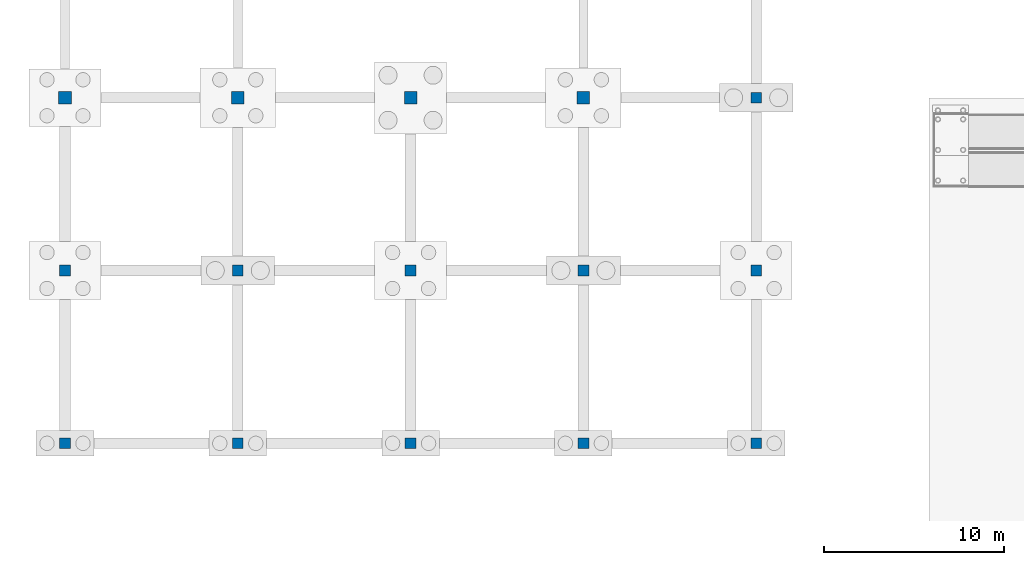
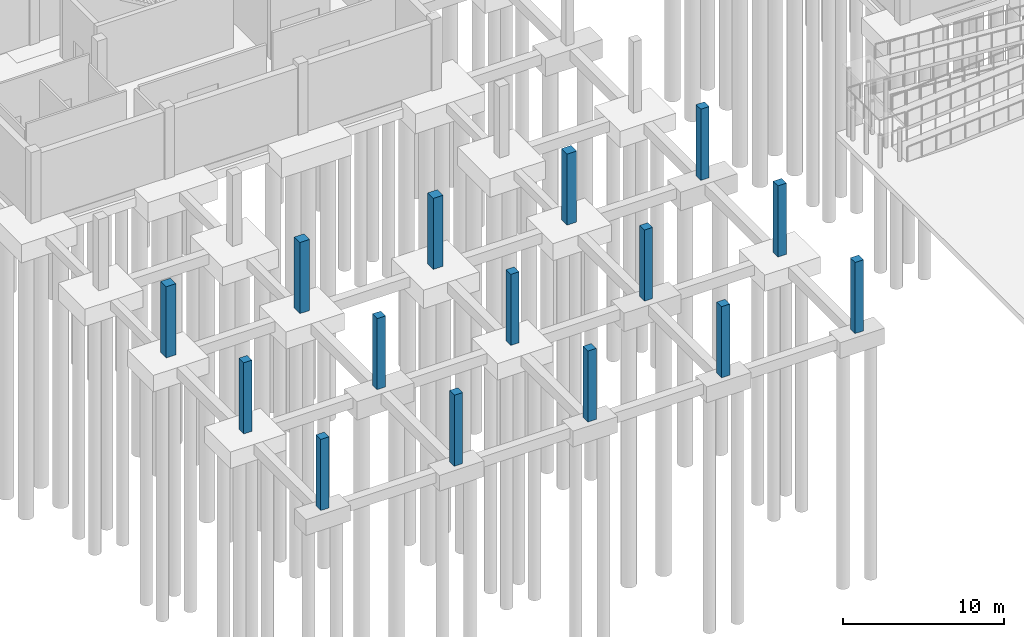
# One storey, part 12 of 41: 15 columns.
"""IFC4 building model written with IfcOpenShell, lengths in metres."""

import ifcopenshell
import ifcopenshell.guid

model = None  # the IFC model being written
_history = None  # IfcOwnerHistory: only IFC2X3 demands one
_inside = {}  # id of a spatial element -> (the spatial element, [elements in it])
_under = {}  # id of a project, library or spatial element -> (it, [spatial elements below it])
_declared = {}  # id of a project -> (the project, [libraries it declares])
_typed = {}  # id of a type object -> (the type object, [elements of that type])
_made_of = {}  # id of a material, layer set ... -> (it, [elements and type objects made of it])


def new_model(schema):
    """Start an empty IFC model of exactly this schema.

    Asked for "IFC4X3", IfcOpenShell would pick the latest addendum, in which some entities
    have other attributes; the version numbers below select the first issue.
    IFC2X3 requires an IfcOwnerHistory on every rooted entity: one is made here for all.
    """
    global model, _history
    if schema == "IFC4X3":
        model = ifcopenshell.file(schema_version=(4, 3, 0, 0))
    else:
        model = ifcopenshell.file(schema=schema)
    _inside.clear()
    _under.clear()
    _declared.clear()
    _typed.clear()
    _made_of.clear()
    _history = None
    if model.schema == "IFC2X3":
        org = make("IfcOrganization", Name="unknown")
        user = make(
            "IfcPersonAndOrganization",
            ThePerson=make("IfcPerson", FamilyName="unknown"),
            TheOrganization=org,
        )
        app = make(
            "IfcApplication",
            ApplicationDeveloper=org,
            Version="unknown",
            ApplicationFullName="unknown",
            ApplicationIdentifier="unknown",
        )
        _history = make(
            "IfcOwnerHistory",
            OwningUser=user,
            OwningApplication=app,
            ChangeAction="ADDED",
            CreationDate=0,
        )
    return model


def make(cls, **values):
    """One entity of the class cls with the attributes given. An attribute that is None is left unset."""
    return model.create_entity(
        cls, **{name: value for name, value in values.items() if value is not None}
    )


def rooted(cls, **values):
    """An entity with a GlobalId (a new one), such as an element, a storey or a relation."""
    return make(cls, GlobalId=ifcopenshell.guid.new(), OwnerHistory=_history, **values)


def si_unit(unit_type, name, prefix=None):
    """IfcSIUnit, for example si_unit("LENGTHUNIT", "METRE", prefix="MILLI")."""
    return make("IfcSIUnit", UnitType=unit_type, Prefix=prefix, Name=name)


def assignment(units):
    """IfcUnitAssignment: the units of a project."""
    return None if units is None else make("IfcUnitAssignment", Units=units)


def point(xyz):
    """IfcCartesianPoint."""
    return None if xyz is None else make("IfcCartesianPoint", Coordinates=xyz)


def direction(xyz):
    """IfcDirection."""
    return None if xyz is None else make("IfcDirection", DirectionRatios=xyz)


def frame(location, z_axis=None, x_axis=None):
    """IfcAxis2Placement3D, a coordinate frame: its origin and axes. An axis left out is left unset."""
    return make(
        "IfcAxis2Placement3D",
        Location=point(location),
        Axis=direction(z_axis),
        RefDirection=direction(x_axis),
    )


def frame_2d(location, x_axis=None):
    """IfcAxis2Placement2D, a coordinate frame in the plane: its origin and x axis."""
    return make(
        "IfcAxis2Placement2D", Location=point(location), RefDirection=direction(x_axis)
    )


def origin():
    """The frame at (0, 0, 0) with its axes left unset."""
    return frame((0.0, 0.0, 0.0))


def origin_2d():
    """The frame at (0, 0) in the plane with its x axis left unset."""
    return frame_2d((0.0, 0.0))


def place(relative_to, where):
    """IfcLocalPlacement: puts the frame where relative to a parent placement (None: the world)."""
    return make(
        "IfcLocalPlacement", PlacementRelTo=relative_to, RelativePlacement=where
    )


def context(
    kind, dimensions, precision=None, world=None, true_north=None, identifier=None
):
    """IfcGeometricRepresentationContext, for example the 3D "Model" context."""
    return make(
        "IfcGeometricRepresentationContext",
        ContextIdentifier=identifier,
        ContextType=kind,
        CoordinateSpaceDimension=dimensions,
        Precision=precision,
        WorldCoordinateSystem=world,
        TrueNorth=true_north,
    )


def subcontext(parent, identifier, kind, view, scale=None):
    """IfcGeometricRepresentationSubContext, for example "Body" below "Model"."""
    return make(
        "IfcGeometricRepresentationSubContext",
        ContextIdentifier=identifier,
        ContextType=kind,
        ParentContext=parent,
        TargetScale=scale,
        TargetView=view,
    )


def project(units=None, contexts=None):
    """IfcProject with its units and contexts."""
    return rooted(
        "IfcProject",
        Name="project",
        RepresentationContexts=contexts,
        UnitsInContext=assignment(units),
    )


def spatial(cls, under=None, at=None, **own):
    """A site, building, storey or space (cls), placed at a placement, below another one or the project."""
    s = rooted(cls, ObjectPlacement=at, **own)
    if under is not None:
        _under.setdefault(under.id(), (under, []))[1].append(s)
    return s


def profile(cls, at=None, kind="AREA", **sizes):
    """A parametric profile (cls). Its sizes go by their IFC names, for example OverallWidth=200.0."""
    return make(cls, ProfileType=kind, Position=at, **sizes)


def rectangle(**sizes):
    """IfcRectangleProfileDef."""
    return profile("IfcRectangleProfileDef", **sizes)


def extrude(swept, where, along, depth):
    """IfcExtrudedAreaSolid: the profile swept, set in the frame where, extruded along a direction by depth."""
    return make(
        "IfcExtrudedAreaSolid",
        SweptArea=swept,
        Position=where,
        ExtrudedDirection=direction(along),
        Depth=depth,
    )


def shape(context_of_items, identifier, shape_type, items):
    """IfcShapeRepresentation: the items that make up one representation, for example the "Body"."""
    return make(
        "IfcShapeRepresentation",
        ContextOfItems=context_of_items,
        RepresentationIdentifier=identifier,
        RepresentationType=shape_type,
        Items=items,
    )


def material(Name=None, Category=None):
    """IfcMaterial."""
    return make("IfcMaterial", Name=Name, Category=Category)


def material_profile(
    of_material, cross_section, Name=None, Category=None, Priority=None
):
    """IfcMaterialProfile: a cross section and its material."""
    return make(
        "IfcMaterialProfile",
        Name=Name,
        Material=of_material,
        Profile=cross_section,
        Priority=Priority,
        Category=Category,
    )


def profile_set(profiles, Name=None, composite=None):
    """IfcMaterialProfileSet."""
    return make(
        "IfcMaterialProfileSet",
        Name=Name,
        MaterialProfiles=profiles,
        CompositeProfile=composite,
    )


def made_of(thing, what):
    """Note that an element or type object is made of a material, layer set ...; save() writes the relation."""
    if what is not None:
        _made_of.setdefault(what.id(), (what, []))[1].append(thing)
    return thing


def type_object(cls, material=None, **own):
    """A type object (cls), such as IfcWallType, which elements share."""
    return made_of(rooted(cls, **own), material)


def element(
    cls,
    number,
    at=None,
    inside=None,
    cuts=None,
    type_object=None,
    material=None,
    context=None,
    identifier="Body",
    shape_type=None,
    held_by="IfcProductDefinitionShape",
    body=None,
    shapes=None,
    **own,
):
    """One element of the class cls, such as IfcWall. Its Tag is "e" and its number.

    at: its placement. inside: the storey or other place that contains it. cuts: it is an
    opening in that element (IfcRelVoidsElement). A single representation is given by context,
    identifier, shape_type and body (its items); several are given by shapes. held_by: the class
    of the entity that holds the representations. save() writes the other relations.
    """
    e = rooted(cls, Tag="e%d" % number, ObjectPlacement=at, **own)
    if body is not None:
        shapes = [shape(context, identifier, shape_type, body)]
    if shapes is not None:
        e.Representation = make(held_by, Representations=shapes)
    if inside is not None:
        _inside.setdefault(inside.id(), (inside, []))[1].append(e)
    if cuts is not None:
        rooted(
            "IfcRelVoidsElement", RelatingBuildingElement=cuts, RelatedOpeningElement=e
        )
    if type_object is not None:
        _typed.setdefault(type_object.id(), (type_object, []))[1].append(e)
    return made_of(e, material)


def aggregate(whole, parts):
    """IfcRelAggregates: a whole, such as a stair, and the parts it consists of."""
    return rooted("IfcRelAggregates", RelatingObject=whole, RelatedObjects=parts)


def save(model, path):
    """Write the relations noted so far, then the file.

    IfcRelAggregates (storeys below a building ...), IfcRelContainedInSpatialStructure (elements
    in a storey), IfcRelDefinesByType, IfcRelAssociatesMaterial and IfcRelDeclares: one each for
    every whole, place, type object, material and project.
    """
    for whole, parts in _under.values():
        aggregate(whole, parts)
    for where, things in _inside.values():
        rooted(
            "IfcRelContainedInSpatialStructure",
            RelatedElements=things,
            RelatingStructure=where,
        )
    for kind, things in _typed.values():
        rooted("IfcRelDefinesByType", RelatedObjects=things, RelatingType=kind)
    for what, things in _made_of.values():
        rooted("IfcRelAssociatesMaterial", RelatedObjects=things, RelatingMaterial=what)
    for by, libraries in _declared.values():
        rooted("IfcRelDeclares", RelatingContext=by, RelatedDefinitions=libraries)
    model.write(path)


model = new_model("IFC4")

# Units and contexts
model_context = context("Model", 3, precision=1e-05, world=origin(), true_north=direction((0.0, 1.0)))
body_context = subcontext(model_context, "Body", "Model", "MODEL_VIEW")
ifc_project = project(units=[si_unit("LENGTHUNIT", "METRE"), si_unit("AREAUNIT", "SQUARE_METRE"), si_unit("VOLUMEUNIT", "CUBIC_METRE"), si_unit("PLANEANGLEUNIT", "RADIAN"), si_unit("MASSUNIT", "GRAM", prefix="KILO")], contexts=[model_context])

# Site, building, storey
site_placement = place(None, origin())
site = spatial("IfcSite", under=ifc_project, at=site_placement, CompositionType="ELEMENT")
building_placement = place(site_placement, origin())
building = spatial("IfcBuilding", under=site, at=building_placement, Name="Shalvenor Court Art Gallery", CompositionType="ELEMENT")
storey_placement = place(building_placement, frame((0.0, 0.0, -5.39990234375)))
storey = spatial("IfcBuildingStorey", under=building, at=storey_placement, Name="B01", CompositionType="ELEMENT", Elevation=-5.39990234375)

# Columns
ifc_material_1 = material(Name="Concrete C40/50", Category="concrete")
ifc_material_profile_1 = material_profile(ifc_material_1, rectangle(XDim=0.699951171875, YDim=0.699951171875, at=origin_2d()), Name="RC 700x700")
ifc_profile_set_1 = profile_set([ifc_material_profile_1], Name="Concrete C40/50")
column_type_1 = type_object("IfcColumnType", Name="C-02", PredefinedType="COLUMN", material=ifc_profile_set_1)
for number, where, z_axis, x_axis, name in (
    (1, (9.60009765625, 88.800048828125, 0.0), (0.0, 0.0, 1.0), (1.0, 0.0, 0.0), "B01 Column COL-B01-C-02-0062"),
    (2, (19.199951171875, 88.800048828125, 0.0), (0.0, 0.0, 1.0), (1.0, 0.0, 0.0), "B01 Column COL-B01-C-02-0104"),
    (3, (28.800048828125, 88.800048828125, 0.0), (0.0, 0.0, 1.0), (1.0, 0.0, 0.0), "B01 Column COL-B01-C-02-0137"),
):
    element("IfcColumn", number, at=place(storey_placement, frame(where, z_axis=z_axis, x_axis=x_axis)), inside=storey, type_object=column_type_1, Name=name, PredefinedType="COLUMN", context=body_context, shape_type="SweptSolid", body=[
        extrude(rectangle(XDim=0.699951171875, YDim=0.699951171875, at=origin_2d()), origin(), (0.0, 0.0, 1.0), 5.39990234375),
    ])
ifc_material_2 = material(Name="Concrete C40/50", Category="concrete")
ifc_material_profile_2 = material_profile(ifc_material_2, rectangle(XDim=0.699951171875, YDim=0.699951171875, at=origin_2d()), Name="RC 700x700")
ifc_profile_set_2 = profile_set([ifc_material_profile_2], Name="Concrete C40/50")
column_type_2 = type_object("IfcColumnType", Name="C-02E", PredefinedType="COLUMN", material=ifc_profile_set_2)
column_placement = place(storey_placement, frame((0.0, 88.800048828125, 0.0), z_axis=(0.0, 0.0, 1.0), x_axis=(1.0, 0.0, 0.0)))
element("IfcColumn", 4, at=column_placement, inside=storey, type_object=column_type_2, Name="B01 Column COL-B01-C-02E-0020", PredefinedType="COLUMN", context=body_context, shape_type="SweptSolid", body=[
    extrude(rectangle(XDim=0.699951171875, YDim=0.699951171875, at=origin_2d()), origin(), (0.0, 0.0, 1.0), 5.39990234375),
])
ifc_material_3 = material(Name="Concrete C40/50", Category="concrete")
ifc_material_profile_3 = material_profile(ifc_material_3, rectangle(XDim=0.60009765625, YDim=0.60009765625, at=origin_2d()), Name="RC 600x600")
ifc_profile_set_3 = profile_set([ifc_material_profile_3], Name="Concrete C40/50")
column_type_3 = type_object("IfcColumnType", Name="C-03", PredefinedType="COLUMN", material=ifc_profile_set_3)
for number, where, z_axis, x_axis, name in (
    (5, (9.60009765625, 79.199951171875, 0.0), (0.0, 0.0, 1.0), (1.0, 0.0, 0.0), "B01 Column COL-B01-C-03-0059"),
    (6, (19.199951171875, 79.199951171875, 0.0), (0.0, 0.0, 1.0), (1.0, 0.0, 0.0), "B01 Column COL-B01-C-03-0101"),
    (7, (28.800048828125, 79.199951171875, 0.0), (0.0, 0.0, 1.0), (1.0, 0.0, 0.0), "B01 Column COL-B01-C-03-0134"),
):
    element("IfcColumn", number, at=place(storey_placement, frame(where, z_axis=z_axis, x_axis=x_axis)), inside=storey, type_object=column_type_3, Name=name, PredefinedType="COLUMN", context=body_context, shape_type="SweptSolid", body=[
        extrude(rectangle(XDim=0.60009765625, YDim=0.60009765625, at=origin_2d()), origin(), (0.0, 0.0, 1.0), 5.39990234375),
    ])
ifc_material_4 = material(Name="Concrete C40/50", Category="concrete")
ifc_material_profile_4 = material_profile(ifc_material_4, rectangle(XDim=0.60009765625, YDim=0.60009765625, at=origin_2d()), Name="RC 600x600")
ifc_profile_set_4 = profile_set([ifc_material_profile_4], Name="Concrete C40/50")
column_type_4 = type_object("IfcColumnType", Name="C-03E", PredefinedType="COLUMN", material=ifc_profile_set_4)
for number, where, z_axis, x_axis, name in (
    (8, (0.0, 69.60009765625, 0.0), (0.0, 0.0, 1.0), (1.0, 0.0, 0.0), "B01 Column COL-B01-C-03E-0015"),
    (9, (0.0, 79.199951171875, 0.0), (0.0, 0.0, 1.0), (1.0, 0.0, 0.0), "B01 Column COL-B01-C-03E-0017"),
    (10, (9.60009765625, 69.60009765625, 0.0), (0.0, 0.0, 1.0), (1.0, 0.0, 0.0), "B01 Column COL-B01-C-03E-0057"),
    (11, (19.199951171875, 69.60009765625, 0.0), (0.0, 0.0, 1.0), (1.0, 0.0, 0.0), "B01 Column COL-B01-C-03E-0099"),
    (12, (28.800048828125, 69.60009765625, 0.0), (0.0, 0.0, 1.0), (1.0, 0.0, 0.0), "B01 Column COL-B01-C-03E-0132"),
    (13, (38.39990234375, 69.60009765625, 0.0), (0.0, 0.0, 1.0), (1.0, 0.0, 0.0), "B01 Column COL-B01-C-03E-0174"),
    (14, (38.39990234375, 79.199951171875, 0.0), (0.0, 0.0, 1.0), (1.0, 0.0, 0.0), "B01 Column COL-B01-C-03E-0176"),
    (15, (38.39990234375, 88.800048828125, 0.0), (0.0, 0.0, 1.0), (1.0, 0.0, 0.0), "B01 Column COL-B01-C-03E-0179"),
):
    element("IfcColumn", number, at=place(storey_placement, frame(where, z_axis=z_axis, x_axis=x_axis)), inside=storey, type_object=column_type_4, Name=name, PredefinedType="COLUMN", context=body_context, shape_type="SweptSolid", body=[
        extrude(rectangle(XDim=0.60009765625, YDim=0.60009765625, at=origin_2d()), origin(), (0.0, 0.0, 1.0), 5.39990234375),
    ])

save(model, "model.ifc")
